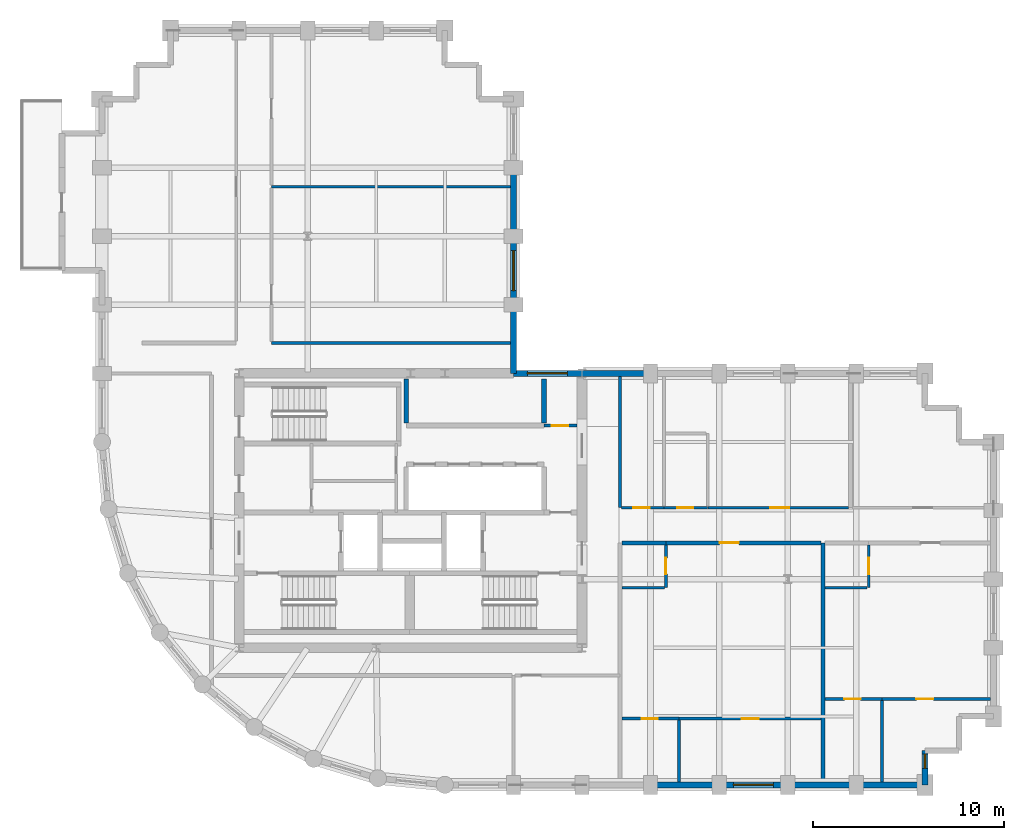
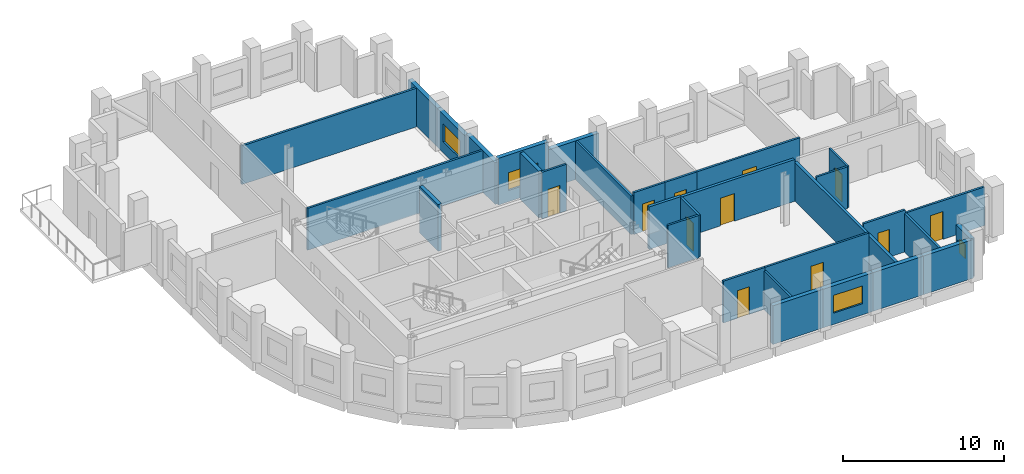
# One storey, part 5 of 9: 32 walls, 11 doors, 4 windows, 15 openings.
"""IFC4 building model written with IfcOpenShell, lengths in metres."""

from ifc_helpers import new_model, si_unit, direction, frame, frame_2d, origin, place, context, subcontext, project, spatial, rectangle, extrude, material, layer, layer_set, type_object, element, fill, save


model = new_model("IFC4")

# Units and contexts
model_context = context("Model", 3, precision=1e-05, world=origin(), true_north=direction((0.0, 1.0)))
body_context = subcontext(model_context, "Body", "Model", "MODEL_VIEW")
ifc_project = project(units=[si_unit("LENGTHUNIT", "METRE"), si_unit("AREAUNIT", "SQUARE_METRE"), si_unit("VOLUMEUNIT", "CUBIC_METRE"), si_unit("PLANEANGLEUNIT", "RADIAN"), si_unit("MASSUNIT", "GRAM", prefix="KILO")], contexts=[model_context])

# Site, building, storey
site_placement = place(None, origin())
site = spatial("IfcSite", under=ifc_project, at=site_placement, CompositionType="ELEMENT")
building_placement = place(site_placement, origin())
building = spatial("IfcBuilding", under=site, at=building_placement, Name="Solnavia Interchange Tower", CompositionType="ELEMENT")
storey_placement = place(building_placement, frame((0.0, 0.0, 154.199951171875)))
storey = spatial("IfcBuildingStorey", under=building, at=storey_placement, Name="L38", CompositionType="ELEMENT", Elevation=154.199951171875)

# Walls
ifc_material_1 = material(Name="Gypsum Acoustic Twin-Stud & Mineral Wool", Category="gypsum")
ifc_layer_1 = layer(ifc_material_1, 0.199951171875)
ifc_layer_set_1 = layer_set([ifc_layer_1], Name="Gypsum Acoustic Twin-Stud & Mineral Wool")
wall_type_1 = type_object("IfcWallType", Name="Wall-ApartmentParty-200", PredefinedType="PARTITIONING", material=ifc_layer_set_1)
wall_1_placement = place(storey_placement, frame((45.050048828125, 3.75390625, 0.0), z_axis=(0.0, 0.0, 1.0), x_axis=(0.0, 1.0, 0.0)))
element("IfcWall", 1, at=wall_1_placement, inside=storey, type_object=wall_type_1, Name="PTW-L38-13 Interior partition wall", PredefinedType="PARTITIONING", context=body_context, shape_type="SweptSolid", body=[
    extrude(rectangle(XDim=12.546142578125, YDim=0.199951171875, at=frame_2d((6.27294921875, 0.0))), origin(), (0.0, 0.0, 1.0), 2.929931640625),
])
wall_2_placement = place(storey_placement, frame((34.50390625, 16.300048828125, 0.0), z_axis=(0.0, 0.0, 1.0), x_axis=(1.0, 0.0, 0.0)))
element("IfcWall", 2, at=wall_2_placement, inside=storey, type_object=wall_type_1, Name="PTW-L38-14 Interior partition wall", PredefinedType="PARTITIONING", context=body_context, shape_type="SweptSolid", body=[
    extrude(rectangle(XDim=2.296142578125, YDim=0.199951171875, at=frame_2d((1.14794921875, 0.0))), origin(), (0.0, 0.0, 1.0), 3.219970703125),
])

# Wall, opening, door
wall_3_placement = place(storey_placement, frame((36.800048828125, 16.300048828125, 0.0), z_axis=(0.0, 0.0, 1.0), x_axis=(1.0, 0.0, 0.0)))
wall_3 = element("IfcWall", 3, at=wall_3_placement, inside=storey, type_object=wall_type_1, Name="PTW-L38-17 Interior partition wall", PredefinedType="PARTITIONING", context=body_context, shape_type="SweptSolid", body=[
    extrude(rectangle(XDim=8.14599609375, YDim=0.199951171875, at=frame_2d((4.072998046875, 0.0))), origin(), (0.0, 0.0, 1.0), 3.170166015625),
])
opening_1_placement = place(wall_3_placement, frame((2.8291015625, 0.0, 0.0)))
opening_1 = element("IfcOpeningElement", 4, at=opening_1_placement, cuts=wall_3, Name="Opening DR-06", PredefinedType="OPENING", context=body_context, shape_type="SweptSolid", body=[
    extrude(rectangle(XDim=1.0, YDim=2.10009765625, at=frame_2d((0.5, 1.050048828125))), frame((0.0, 0.10986328125, 0.0), z_axis=(0.0, -1.0, 0.0), x_axis=(1.0, 0.0, 0.0)), (0.0, 0.0, 1.0), 0.219970703125),
])
ifc_material_2 = material(Name="Engineered Timber Acoustic Fire Door", Category="wood")
door_type_1 = type_object("IfcDoorType", Name="Door-FlatEntry-1000x2100", OperationType="SINGLE_SWING_LEFT", PredefinedType="DOOR", material=ifc_material_2)
door_1_placement = place(opening_1_placement, origin())
door_1 = element("IfcDoor", 5, at=door_1_placement, inside=storey, type_object=door_type_1, Name="DR-L38-06 Interior room door", OperationType="SINGLE_SWING_LEFT", OverallHeight=2.10009765625, OverallWidth=1.0, PredefinedType="DOOR", context=body_context, shape_type="SweptSolid", body=[
    extrude(rectangle(XDim=1.0, YDim=2.10009765625, at=frame_2d((0.5, 1.050048828125))), frame((0.0, 0.02490234375, 0.0), z_axis=(0.0, -1.0, 0.0), x_axis=(1.0, 0.0, 0.0)), (0.0, 0.0, 1.0), 0.050048828125),
])
fill(opening_1, door_1)

# Wall
ifc_material_3 = material(Name="Concrete C40/50", Category="concrete")
ifc_layer_2 = layer(ifc_material_3, 0.300048828125)
ifc_layer_set_2 = layer_set([ifc_layer_2], Name="Concrete C40/50")
wall_type_2 = type_object("IfcWallType", Name="Wall-ExtSpandrel-300", PredefinedType="STANDARD", material=ifc_layer_set_2)
wall_4_placement = place(storey_placement, frame((39.60009765625, 3.60009765625, 0.0), z_axis=(0.0, 0.0, 1.0), x_axis=(-1.0, 0.0, 0.0)))
element("IfcWall", 6, at=wall_4_placement, inside=storey, type_object=wall_type_2, Name="EXW-L38-04 Exterior precast spandrel wall", PredefinedType="STANDARD", context=body_context, shape_type="SweptSolid", body=[
    extrude(rectangle(XDim=3.60009765625, YDim=0.300048828125, at=frame_2d((1.800048828125, 0.0))), origin(), (0.0, 0.0, 1.0), 2.929931640625),
])

# Wall, opening, window
wall_5_placement = place(storey_placement, frame((43.199951171875, 3.60009765625, 0.0), z_axis=(0.0, 0.0, 1.0), x_axis=(-1.0, 0.0, 0.0)))
wall_5 = element("IfcWall", 7, at=wall_5_placement, inside=storey, type_object=wall_type_2, Name="EXW-L38-05 Exterior precast spandrel wall", PredefinedType="STANDARD", context=body_context, shape_type="SweptSolid", body=[
    extrude(rectangle(XDim=3.599853515625, YDim=0.300048828125, at=frame_2d((1.7998046875, 0.0))), origin(), (0.0, 0.0, 1.0), 2.929931640625),
])
opening_2_placement = place(wall_5_placement, frame((0.75, 0.0, 0.85009765625)))
opening_2 = element("IfcOpeningElement", 8, at=opening_2_placement, cuts=wall_5, Name="Opening WIN-01", PredefinedType="OPENING", context=body_context, shape_type="SweptSolid", body=[
    extrude(rectangle(XDim=2.10009765625, YDim=1.35009765625, at=frame_2d((1.050048828125, 0.675048828125))), frame((0.0, 0.16015625, 0.0), z_axis=(0.0, -1.0, 0.0), x_axis=(1.0, 0.0, 0.0)), (0.0, 0.0, 1.0), 0.320068359375),
])
ifc_material_4 = material(Name="Thermal-Break Aluminium & Low-E Glass", Category="aluminium")
window_type_1 = type_object("IfcWindowType", Name="Window-Ribbon-2100x1350", PartitioningType="SINGLE_PANEL", PredefinedType="WINDOW", material=ifc_material_4)
window_1_placement = place(opening_2_placement, origin())
window_1 = element("IfcWindow", 9, at=window_1_placement, inside=storey, type_object=window_type_1, Name="WIN-L38-05 Facade ribbon window", OverallHeight=1.35009765625, OverallWidth=2.10009765625, PartitioningType="SINGLE_PANEL", PredefinedType="WINDOW", context=body_context, shape_type="SweptSolid", body=[
    extrude(rectangle(XDim=2.10009765625, YDim=1.35009765625, at=frame_2d((1.050048828125, 0.675048828125))), frame((0.0, 0.030029296875, 0.0), z_axis=(0.0, -1.0, 0.0), x_axis=(1.0, 0.0, 0.0)), (0.0, 0.0, 1.0), 0.06005859375),
])
fill(opening_2, window_1)

# Walls
wall_6_placement = place(storey_placement, frame((46.800048828125, 3.60009765625, 0.0), z_axis=(0.0, 0.0, 1.0), x_axis=(-1.0, 0.0, 0.0)))
element("IfcWall", 10, at=wall_6_placement, inside=storey, type_object=wall_type_2, Name="EXW-L38-06 Exterior precast spandrel wall", PredefinedType="STANDARD", context=body_context, shape_type="SweptSolid", body=[
    extrude(rectangle(XDim=3.60009765625, YDim=0.300048828125, at=frame_2d((1.800048828125, 0.0))), origin(), (0.0, 0.0, 1.0), 2.929931640625),
])
wall_7_placement = place(storey_placement, frame((50.39990234375, 3.60009765625, 0.0), z_axis=(0.0, 0.0, 1.0), x_axis=(-1.0, 0.0, 0.0)))
element("IfcWall", 11, at=wall_7_placement, inside=storey, type_object=wall_type_2, Name="EXW-L38-07 Exterior precast spandrel wall", PredefinedType="STANDARD", context=body_context, shape_type="SweptSolid", body=[
    extrude(rectangle(XDim=3.599853515625, YDim=0.300048828125, at=frame_2d((1.7998046875, 0.0))), origin(), (0.0, 0.0, 1.0), 2.929931640625),
])

# Wall, opening, window
wall_8_placement = place(storey_placement, frame((50.39990234375, 5.39990234375, 0.0), z_axis=(0.0, 0.0, 1.0), x_axis=(0.0, -1.0, 0.0)))
wall_8 = element("IfcWall", 12, at=wall_8_placement, inside=storey, type_object=wall_type_2, Name="EXW-L38-08 Exterior precast spandrel wall", PredefinedType="STANDARD", context=body_context, shape_type="SweptSolid", body=[
    extrude(rectangle(XDim=1.7998046875, YDim=0.300048828125, at=frame_2d((0.89990234375, 0.0))), origin(), (0.0, 0.0, 1.0), 2.929931640625),
])
opening_3_placement = place(wall_8_placement, frame((0.179931640625, 0.0, 0.85009765625)))
opening_3 = element("IfcOpeningElement", 13, at=opening_3_placement, cuts=wall_8, Name="Opening WIN-08", PredefinedType="OPENING", context=body_context, shape_type="SweptSolid", body=[
    extrude(rectangle(XDim=0.75, YDim=1.050048828125, at=frame_2d((0.375, 0.52490234375))), frame((0.0, 0.16015625, 0.0), z_axis=(0.0, -1.0, 0.0), x_axis=(1.0, 0.0, 0.0)), (0.0, 0.0, 1.0), 0.320068359375),
])
window_type_2 = type_object("IfcWindowType", Name="Window-Bedroom-750x1050", PartitioningType="SINGLE_PANEL", PredefinedType="WINDOW", material=ifc_material_4)
window_2_placement = place(opening_3_placement, origin())
window_2 = element("IfcWindow", 14, at=window_2_placement, inside=storey, type_object=window_type_2, Name="WIN-L38-DW01 Dwelling bedroom window", OverallHeight=1.050048828125, OverallWidth=0.75, PartitioningType="SINGLE_PANEL", PredefinedType="WINDOW", context=body_context, shape_type="SweptSolid", body=[
    extrude(rectangle(XDim=0.75, YDim=1.050048828125, at=frame_2d((0.375, 0.52490234375))), frame((0.0, 0.030029296875, 0.0), z_axis=(0.0, -1.0, 0.0), x_axis=(1.0, 0.0, 0.0)), (0.0, 0.0, 1.0), 0.06005859375),
])
fill(opening_3, window_2)

# Wall
wall_9_placement = place(storey_placement, frame((32.39990234375, 25.199951171875, 0.0), z_axis=(0.0, 0.0, 1.0), x_axis=(1.0, 0.0, 0.0)))
element("IfcWall", 15, at=wall_9_placement, inside=storey, type_object=wall_type_2, Name="EXW-L38-24 Exterior precast spandrel wall", PredefinedType="STANDARD", context=body_context, shape_type="SweptSolid", body=[
    extrude(rectangle(XDim=3.60009765625, YDim=0.300048828125, at=frame_2d((1.800048828125, 0.0))), origin(), (0.0, 0.0, 1.0), 2.929931640625),
])

# Wall, opening, window
wall_10_placement = place(storey_placement, frame((28.800048828125, 25.199951171875, 0.0), z_axis=(0.0, 0.0, 1.0), x_axis=(1.0, 0.0, 0.0)))
wall_10 = element("IfcWall", 16, at=wall_10_placement, inside=storey, type_object=wall_type_2, Name="EXW-L38-25 Exterior precast spandrel wall", PredefinedType="STANDARD", context=body_context, shape_type="SweptSolid", body=[
    extrude(rectangle(XDim=3.599853515625, YDim=0.300048828125, at=frame_2d((1.7998046875, 0.0))), origin(), (0.0, 0.0, 1.0), 3.53515625),
])
opening_4_placement = place(wall_10_placement, frame((0.73388671875, 0.0, 0.85009765625)))
opening_4 = element("IfcOpeningElement", 17, at=opening_4_placement, cuts=wall_10, Name="Opening WIN-01", PredefinedType="OPENING", context=body_context, shape_type="SweptSolid", body=[
    extrude(rectangle(XDim=2.10009765625, YDim=1.35009765625, at=frame_2d((1.050048828125, 0.675048828125))), frame((0.0, 0.16015625, 0.0), z_axis=(0.0, -1.0, 0.0), x_axis=(1.0, 0.0, 0.0)), (0.0, 0.0, 1.0), 0.320068359375),
])
window_3_placement = place(opening_4_placement, origin())
window_3 = element("IfcWindow", 18, at=window_3_placement, inside=storey, type_object=window_type_1, Name="WIN-L38-25 Facade ribbon window", OverallHeight=1.35009765625, OverallWidth=2.10009765625, PartitioningType="SINGLE_PANEL", PredefinedType="WINDOW", context=body_context, shape_type="SweptSolid", body=[
    extrude(rectangle(XDim=2.10009765625, YDim=1.35009765625, at=frame_2d((1.050048828125, 0.675048828125))), frame((0.0, 0.030029296875, 0.0), z_axis=(0.0, -1.0, 0.0), x_axis=(1.0, 0.0, 0.0)), (0.0, 0.0, 1.0), 0.06005859375),
])
fill(opening_4, window_3)

# Wall
wall_11_placement = place(storey_placement, frame((28.800048828125, 28.800048828125, 0.0), z_axis=(0.0, 0.0, 1.0), x_axis=(0.0, -1.0, 0.0)))
element("IfcWall", 19, at=wall_11_placement, inside=storey, type_object=wall_type_2, Name="EXW-L38-26 Exterior precast spandrel wall", PredefinedType="STANDARD", context=body_context, shape_type="SweptSolid", body=[
    extrude(rectangle(XDim=3.60009765625, YDim=0.300048828125, at=frame_2d((1.800048828125, 0.0))), origin(), (0.0, 0.0, 1.0), 3.170166015625),
])

# Wall, opening, window
wall_12_placement = place(storey_placement, frame((28.800048828125, 32.39990234375, 0.0), z_axis=(0.0, 0.0, 1.0), x_axis=(0.0, -1.0, 0.0)))
wall_12 = element("IfcWall", 20, at=wall_12_placement, inside=storey, type_object=wall_type_2, Name="EXW-L38-27 Exterior precast spandrel wall", PredefinedType="STANDARD", context=body_context, shape_type="SweptSolid", body=[
    extrude(rectangle(XDim=3.599853515625, YDim=0.300048828125, at=frame_2d((1.7998046875, 0.0))), origin(), (0.0, 0.0, 1.0), 2.929931640625),
])
opening_5_placement = place(wall_12_placement, frame((0.75, 0.0, 0.85009765625)))
opening_5 = element("IfcOpeningElement", 21, at=opening_5_placement, cuts=wall_12, Name="Opening WIN-01", PredefinedType="OPENING", context=body_context, shape_type="SweptSolid", body=[
    extrude(rectangle(XDim=2.10009765625, YDim=1.35009765625, at=frame_2d((1.050048828125, 0.675048828125))), frame((0.0, 0.16015625, 0.0), z_axis=(0.0, -1.0, 0.0), x_axis=(1.0, 0.0, 0.0)), (0.0, 0.0, 1.0), 0.320068359375),
])
window_4_placement = place(opening_5_placement, origin())
window_4 = element("IfcWindow", 22, at=window_4_placement, inside=storey, type_object=window_type_1, Name="WIN-L38-27 Facade ribbon window", OverallHeight=1.35009765625, OverallWidth=2.10009765625, PartitioningType="SINGLE_PANEL", PredefinedType="WINDOW", context=body_context, shape_type="SweptSolid", body=[
    extrude(rectangle(XDim=2.10009765625, YDim=1.35009765625, at=frame_2d((1.050048828125, 0.675048828125))), frame((0.0, 0.030029296875, 0.0), z_axis=(0.0, -1.0, 0.0), x_axis=(1.0, 0.0, 0.0)), (0.0, 0.0, 1.0), 0.06005859375),
])
fill(opening_5, window_4)

# Wall
wall_13_placement = place(storey_placement, frame((28.800048828125, 36.0, 0.0), z_axis=(0.0, 0.0, 1.0), x_axis=(0.0, -1.0, 0.0)))
element("IfcWall", 23, at=wall_13_placement, inside=storey, type_object=wall_type_2, Name="EXW-L38-28 Exterior precast spandrel wall", PredefinedType="STANDARD", context=body_context, shape_type="SweptSolid", body=[
    extrude(rectangle(XDim=3.60009765625, YDim=0.300048828125, at=frame_2d((1.800048828125, 0.0))), origin(), (0.0, 0.0, 1.0), 2.929931640625),
])

# Wall, opening, door
ifc_material_5 = material(Name="Gypsum Plasterboard & Steel Stud", Category="steel")
ifc_layer_3 = layer(ifc_material_5, 0.14990234375)
ifc_layer_set_3 = layer_set([ifc_layer_3], Name="Gypsum Plasterboard & Steel Stud")
wall_type_3 = type_object("IfcWallType", Name="Wall-Partition-150", PredefinedType="PARTITIONING", material=ifc_layer_set_3)
wall_14_placement = place(storey_placement, frame((30.39990234375, 22.4599609375, 0.0), z_axis=(0.0, 0.0, 1.0), x_axis=(1.0, 0.0, 0.0)))
wall_14 = element("IfcWall", 24, at=wall_14_placement, inside=storey, type_object=wall_type_3, Name="CSW-L38-NE-S Core shaft wall", PredefinedType="PARTITIONING", context=body_context, shape_type="SweptSolid", body=[
    extrude(rectangle(XDim=1.75, YDim=0.14990234375, at=frame_2d((0.875, 0.0))), origin(), (0.0, 0.0, 1.0), 3.53515625),
])
opening_6_placement = place(wall_14_placement, frame((0.419921875, 0.0, 0.0)))
opening_6 = element("IfcOpeningElement", 25, at=opening_6_placement, cuts=wall_14, Name="Opening DR-10", PredefinedType="OPENING", context=body_context, shape_type="SweptSolid", body=[
    extrude(rectangle(XDim=0.85009765625, YDim=2.10009765625, at=frame_2d((0.425048828125, 1.050048828125))), frame((0.0, 0.0849609375, 0.0), z_axis=(0.0, -1.0, 0.0), x_axis=(1.0, 0.0, 0.0)), (0.0, 0.0, 1.0), 0.169921875),
])
ifc_material_6 = material(Name="Moisture-Resistant Timber Door", Category="wood")
door_type_2 = type_object("IfcDoorType", Name="Door-Bathroom-850x2100", OperationType="SINGLE_SWING_RIGHT", PredefinedType="DOOR", material=ifc_material_6)
door_2_placement = place(opening_6_placement, origin())
door_2 = element("IfcDoor", 26, at=door_2_placement, inside=storey, type_object=door_type_2, Name="DR-L38-CS4 Core fire door", OperationType="SINGLE_SWING_RIGHT", OverallHeight=2.10009765625, OverallWidth=0.85009765625, PredefinedType="DOOR", context=body_context, shape_type="SweptSolid", body=[
    extrude(rectangle(XDim=0.85009765625, YDim=2.10009765625, at=frame_2d((0.425048828125, 1.050048828125))), frame((0.0, 0.02490234375, 0.0), z_axis=(0.0, -1.0, 0.0), x_axis=(1.0, 0.0, 0.0)), (0.0, 0.0, 1.0), 0.050048828125),
])
fill(opening_6, door_2)

wall_15_placement = place(storey_placement, frame((37.5, 7.080078125, 0.0), z_axis=(0.0, 0.0, 1.0), x_axis=(1.0, 0.0, 0.0)))
wall_15 = element("IfcWall", 27, at=wall_15_placement, inside=storey, type_object=wall_type_3, Name="PTW-L38-18 Interior partition wall", PredefinedType="PARTITIONING", context=body_context, shape_type="SweptSolid", body=[
    extrude(rectangle(XDim=7.446044921875, YDim=0.14990234375, at=frame_2d((3.72314453125, 0.0))), origin(), (0.0, 0.0, 1.0), 3.170166015625),
])
opening_7_placement = place(wall_15_placement, frame((3.284912109375, 0.0, 0.0)))
opening_7 = element("IfcOpeningElement", 28, at=opening_7_placement, cuts=wall_15, Name="Opening DR-09", PredefinedType="OPENING", context=body_context, shape_type="SweptSolid", body=[
    extrude(rectangle(XDim=0.89990234375, YDim=2.10009765625, at=frame_2d((0.449951171875, 1.050048828125))), frame((0.0, 0.0849609375, 0.0), z_axis=(0.0, -1.0, 0.0), x_axis=(1.0, 0.0, 0.0)), (0.0, 0.0, 1.0), 0.169921875),
])
ifc_material_7 = material(Name="Engineered Oak Veneer Door", Category="wood")
door_type_3 = type_object("IfcDoorType", Name="Door-Internal-900x2100", OperationType="SINGLE_SWING_LEFT", PredefinedType="DOOR", material=ifc_material_7)
door_3_placement = place(opening_7_placement, origin())
door_3 = element("IfcDoor", 29, at=door_3_placement, inside=storey, type_object=door_type_3, Name="DR-L38-07 Interior room door", OperationType="SINGLE_SWING_RIGHT", OverallHeight=2.10009765625, OverallWidth=0.89990234375, PredefinedType="DOOR", context=body_context, shape_type="SweptSolid", body=[
    extrude(rectangle(XDim=0.89990234375, YDim=2.10009765625, at=frame_2d((0.449951171875, 1.050048828125))), frame((0.0, 0.02490234375, 0.0), z_axis=(0.0, -1.0, 0.0), x_axis=(1.0, 0.0, 0.0)), (0.0, 0.0, 1.0), 0.050048828125),
])
fill(opening_7, door_3)

wall_16_placement = place(storey_placement, frame((48.14990234375, 8.110107421875, 0.0), z_axis=(0.0, 0.0, 1.0), x_axis=(1.0, 0.0, 0.0)))
wall_16 = element("IfcWall", 30, at=wall_16_placement, inside=storey, type_object=wall_type_3, Name="PTW-L38-25 Interior partition wall", PredefinedType="PARTITIONING", context=body_context, shape_type="SweptSolid", body=[
    extrude(rectangle(XDim=5.696044921875, YDim=0.14990234375, at=frame_2d((2.84814453125, 0.0))), origin(), (0.0, 0.0, 1.0), 2.929931640625),
])
opening_8_placement = place(wall_16_placement, frame((1.797119140625, 0.0, 0.0)))
opening_8 = element("IfcOpeningElement", 31, at=opening_8_placement, cuts=wall_16, Name="Opening DR-09", PredefinedType="OPENING", context=body_context, shape_type="SweptSolid", body=[
    extrude(rectangle(XDim=0.89990234375, YDim=2.10009765625, at=frame_2d((0.449951171875, 1.050048828125))), frame((0.0, 0.0849609375, 0.0), z_axis=(0.0, -1.0, 0.0), x_axis=(1.0, 0.0, 0.0)), (0.0, 0.0, 1.0), 0.169921875),
])
door_4_placement = place(opening_8_placement, origin())
door_4 = element("IfcDoor", 32, at=door_4_placement, inside=storey, type_object=door_type_3, Name="DR-L38-11 Interior room door", OperationType="SINGLE_SWING_RIGHT", OverallHeight=2.10009765625, OverallWidth=0.89990234375, PredefinedType="DOOR", context=body_context, shape_type="SweptSolid", body=[
    extrude(rectangle(XDim=0.89990234375, YDim=2.10009765625, at=frame_2d((0.449951171875, 1.050048828125))), frame((0.0, 0.02490234375, 0.0), z_axis=(0.0, -1.0, 0.0), x_axis=(1.0, 0.0, 0.0)), (0.0, 0.0, 1.0), 0.050048828125),
])
fill(opening_8, door_4)

wall_17_placement = place(storey_placement, frame((39.0, 18.14990234375, 0.0), z_axis=(0.0, 0.0, 1.0), x_axis=(1.0, 0.0, 0.0)))
wall_17 = element("IfcWall", 33, at=wall_17_placement, inside=storey, type_object=wall_type_3, Name="PTW-L38-29 Interior partition wall", PredefinedType="PARTITIONING", context=body_context, shape_type="SweptSolid", body=[
    extrude(rectangle(XDim=7.39599609375, YDim=0.14990234375, at=frame_2d((3.697998046875, 0.0))), origin(), (0.0, 0.0, 1.0), 3.170166015625),
])
opening_9_placement = place(wall_17_placement, frame((3.2900390625, 0.0, 0.0)))
opening_9 = element("IfcOpeningElement", 34, at=opening_9_placement, cuts=wall_17, Name="Opening DR-07", PredefinedType="OPENING", context=body_context, shape_type="SweptSolid", body=[
    extrude(rectangle(XDim=1.0, YDim=2.10009765625, at=frame_2d((0.5, 1.050048828125))), frame((0.0, 0.0849609375, 0.0), z_axis=(0.0, -1.0, 0.0), x_axis=(1.0, 0.0, 0.0)), (0.0, 0.0, 1.0), 0.169921875),
])
ifc_material_8 = material(Name="Timber & Acoustic Glazed Office Door", Category="wood")
door_type_4 = type_object("IfcDoorType", Name="Door-Office-1000x2100", OperationType="SINGLE_SWING_RIGHT", PredefinedType="DOOR", material=ifc_material_8)
door_5_placement = place(opening_9_placement, origin())
door_5 = element("IfcDoor", 35, at=door_5_placement, inside=storey, type_object=door_type_4, Name="DR-L38-13 Interior room door", OperationType="SINGLE_SWING_RIGHT", OverallHeight=2.10009765625, OverallWidth=1.0, PredefinedType="DOOR", context=body_context, shape_type="SweptSolid", body=[
    extrude(rectangle(XDim=1.0, YDim=2.10009765625, at=frame_2d((0.5, 1.050048828125))), frame((0.0, 0.02490234375, 0.0), z_axis=(0.0, -1.0, 0.0), x_axis=(1.0, 0.0, 0.0)), (0.0, 0.0, 1.0), 0.050048828125),
])
fill(opening_9, door_5)

# Walls
wall_18_placement = place(storey_placement, frame((16.10009765625, 26.800048828125, 0.0), z_axis=(0.0, 0.0, 1.0), x_axis=(1.0, 0.0, 0.0)))
element("IfcWall", 36, at=wall_18_placement, inside=storey, type_object=wall_type_3, Name="PTW-L38-33 Interior partition wall", PredefinedType="PARTITIONING", context=body_context, shape_type="SweptSolid", body=[
    extrude(rectangle(XDim=12.5458984375, YDim=0.14990234375, at=frame_2d((6.27294921875, 0.0))), origin(), (0.0, 0.0, 1.0), 3.170166015625),
])
wall_19_placement = place(storey_placement, frame((16.10009765625, 35.0, 0.0), z_axis=(0.0, 0.0, 1.0), x_axis=(1.0, 0.0, 0.0)))
element("IfcWall", 37, at=wall_19_placement, inside=storey, type_object=wall_type_3, Name="PTW-L38-34 Interior partition wall", PredefinedType="PARTITIONING", context=body_context, shape_type="SweptSolid", body=[
    extrude(rectangle(XDim=12.5458984375, YDim=0.14990234375, at=frame_2d((6.27294921875, 0.0))), origin(), (0.0, 0.0, 1.0), 2.929931640625),
])
ifc_layer_4 = layer(ifc_material_3, 0.25)
ifc_layer_set_4 = layer_set([ifc_layer_4], Name="Concrete C40/50")
wall_type_4 = type_object("IfcWallType", Name="Wall-ShaftPart-250", PredefinedType="PARTITIONING", material=ifc_layer_set_4)
for number, where, z_axis, x_axis, name in (
    (38, (23.179931640625, 22.5849609375, 0.0), (0.0, 0.0, 1.0), (0.0, 1.0, 0.0), "SHW-L38-B3W Core shaft wall"),
    (39, (30.39990234375, 22.5849609375, 0.0), (0.0, 0.0, 1.0), (0.0, 1.0, 0.0), "SHW-L38-B3E Core shaft wall"),
):
    element("IfcWall", number, at=place(storey_placement, frame(where, z_axis=z_axis, x_axis=x_axis)), inside=storey, type_object=wall_type_4, Name=name, PredefinedType="PARTITIONING", context=body_context, shape_type="SweptSolid", body=[
        extrude(rectangle(XDim=2.31494140625, YDim=0.25, at=frame_2d((1.157470703125, 0.0))), origin(), (0.0, 0.0, 1.0), 3.53515625),
    ])
ifc_material_9 = material(Name="Moisture-Resistant Gypsum & Steel Stud", Category="steel")
ifc_layer_5 = layer(ifc_material_9, 0.14990234375)
ifc_layer_set_5 = layer_set([ifc_layer_5], Name="Moisture-Resistant Gypsum & Steel Stud")
wall_type_5 = type_object("IfcWallType", Name="Wall-WetRoom-150", PredefinedType="PARTITIONING", material=ifc_layer_set_5)
wall_20_placement = place(storey_placement, frame((34.39990234375, 18.14990234375, 0.0), z_axis=(0.0, 0.0, 1.0), x_axis=(0.0, 1.0, 0.0)))
element("IfcWall", 40, at=wall_20_placement, inside=storey, type_object=wall_type_5, Name="PTW-L38-01 Interior partition wall", PredefinedType="PARTITIONING", context=body_context, shape_type="SweptSolid", body=[
    extrude(rectangle(XDim=6.89599609375, YDim=0.14990234375, at=frame_2d((3.447998046875, 0.0))), origin(), (0.0, 0.0, 1.0), 2.929931640625),
])

# Wall, opening, door
wall_21_placement = place(storey_placement, frame((34.47900390625, 18.14990234375, 0.0), z_axis=(0.0, 0.0, 1.0), x_axis=(1.0, 0.0, 0.0)))
wall_21 = element("IfcWall", 41, at=wall_21_placement, inside=storey, type_object=wall_type_5, Name="PTW-L38-02 Interior partition wall", PredefinedType="PARTITIONING", context=body_context, shape_type="SweptSolid", body=[
    extrude(rectangle(XDim=2.220947265625, YDim=0.14990234375, at=frame_2d((1.1103515625, 0.0))), origin(), (0.0, 0.0, 1.0), 3.170166015625),
])
opening_10_placement = place(wall_21_placement, frame((0.617919921875, 0.0, 0.0)))
opening_10 = element("IfcOpeningElement", 42, at=opening_10_placement, cuts=wall_21, Name="Opening DR-10", PredefinedType="OPENING", context=body_context, shape_type="SweptSolid", body=[
    extrude(rectangle(XDim=0.85009765625, YDim=2.10009765625, at=frame_2d((0.425048828125, 1.050048828125))), frame((0.0, 0.0849609375, 0.0), z_axis=(0.0, -1.0, 0.0), x_axis=(1.0, 0.0, 0.0)), (0.0, 0.0, 1.0), 0.169921875),
])
door_6_placement = place(opening_10_placement, origin())
door_6 = element("IfcDoor", 43, at=door_6_placement, inside=storey, type_object=door_type_2, Name="DR-L38-01 Interior room door", OperationType="SINGLE_SWING_LEFT", OverallHeight=2.10009765625, OverallWidth=0.85009765625, PredefinedType="DOOR", context=body_context, shape_type="SweptSolid", body=[
    extrude(rectangle(XDim=0.85009765625, YDim=2.10009765625, at=frame_2d((0.425048828125, 1.050048828125))), frame((0.0, 0.02490234375, 0.0), z_axis=(0.0, -1.0, 0.0), x_axis=(1.0, 0.0, 0.0)), (0.0, 0.0, 1.0), 0.050048828125),
])
fill(opening_10, door_6)

wall_22_placement = place(storey_placement, frame((36.699951171875, 18.14990234375, 0.0), z_axis=(0.0, 0.0, 1.0), x_axis=(1.0, 0.0, 0.0)))
wall_22 = element("IfcWall", 44, at=wall_22_placement, inside=storey, type_object=wall_type_5, Name="PTW-L38-04 Interior partition wall", PredefinedType="PARTITIONING", context=body_context, shape_type="SweptSolid", body=[
    extrude(rectangle(XDim=2.300048828125, YDim=0.14990234375, at=frame_2d((1.14990234375, 0.0))), origin(), (0.0, 0.0, 1.0), 3.170166015625),
])
opening_11_placement = place(wall_22_placement, frame((0.697021484375, 0.0, 0.0)))
opening_11 = element("IfcOpeningElement", 45, at=opening_11_placement, cuts=wall_22, Name="Opening DR-10", PredefinedType="OPENING", context=body_context, shape_type="SweptSolid", body=[
    extrude(rectangle(XDim=0.85009765625, YDim=2.10009765625, at=frame_2d((0.425048828125, 1.050048828125))), frame((0.0, 0.0849609375, 0.0), z_axis=(0.0, -1.0, 0.0), x_axis=(1.0, 0.0, 0.0)), (0.0, 0.0, 1.0), 0.169921875),
])
door_7_placement = place(opening_11_placement, origin())
door_7 = element("IfcDoor", 46, at=door_7_placement, inside=storey, type_object=door_type_2, Name="DR-L38-02 Interior room door", OperationType="SINGLE_SWING_RIGHT", OverallHeight=2.10009765625, OverallWidth=0.85009765625, PredefinedType="DOOR", context=body_context, shape_type="SweptSolid", body=[
    extrude(rectangle(XDim=0.85009765625, YDim=2.10009765625, at=frame_2d((0.425048828125, 1.050048828125))), frame((0.0, 0.02490234375, 0.0), z_axis=(0.0, -1.0, 0.0), x_axis=(1.0, 0.0, 0.0)), (0.0, 0.0, 1.0), 0.050048828125),
])
fill(opening_11, door_7)

wall_23_placement = place(storey_placement, frame((36.800048828125, 13.949951171875, 0.0), z_axis=(0.0, 0.0, 1.0), x_axis=(0.0, 1.0, 0.0)))
wall_23 = element("IfcWall", 47, at=wall_23_placement, inside=storey, type_object=wall_type_5, Name="PTW-L38-15 Interior partition wall", PredefinedType="PARTITIONING", context=body_context, shape_type="SweptSolid", body=[
    extrude(rectangle(XDim=2.24609375, YDim=0.14990234375, at=frame_2d((1.123046875, 0.0))), origin(), (0.0, 0.0, 1.0), 3.170166015625),
])
opening_12_placement = place(wall_23_placement, frame((0.719970703125, 0.0, 0.0)))
opening_12 = element("IfcOpeningElement", 48, at=opening_12_placement, cuts=wall_23, Name="Opening DR-10", PredefinedType="OPENING", context=body_context, shape_type="SweptSolid", body=[
    extrude(rectangle(XDim=0.85009765625, YDim=2.10009765625, at=frame_2d((0.425048828125, 1.050048828125))), frame((0.0, 0.0849609375, 0.0), z_axis=(0.0, -1.0, 0.0), x_axis=(1.0, 0.0, 0.0)), (0.0, 0.0, 1.0), 0.169921875),
])
door_8_placement = place(opening_12_placement, origin())
door_8 = element("IfcDoor", 49, at=door_8_placement, inside=storey, type_object=door_type_2, Name="DR-L38-05 Interior room door", OperationType="SINGLE_SWING_RIGHT", OverallHeight=2.10009765625, OverallWidth=0.85009765625, PredefinedType="DOOR", context=body_context, shape_type="SweptSolid", body=[
    extrude(rectangle(XDim=0.85009765625, YDim=2.10009765625, at=frame_2d((0.425048828125, 1.050048828125))), frame((0.0, 0.02490234375, 0.0), z_axis=(0.0, -1.0, 0.0), x_axis=(1.0, 0.0, 0.0)), (0.0, 0.0, 1.0), 0.050048828125),
])
fill(opening_12, door_8)

# Wall
wall_24_placement = place(storey_placement, frame((34.50390625, 13.949951171875, 0.0), z_axis=(0.0, 0.0, 1.0), x_axis=(1.0, 0.0, 0.0)))
element("IfcWall", 50, at=wall_24_placement, inside=storey, type_object=wall_type_5, Name="PTW-L38-16 Interior partition wall", PredefinedType="PARTITIONING", context=body_context, shape_type="SweptSolid", body=[
    extrude(rectangle(XDim=2.217041015625, YDim=0.14990234375, at=frame_2d((1.1083984375, 0.0))), origin(), (0.0, 0.0, 1.0), 3.219970703125),
])

# Wall, opening, door
wall_25_placement = place(storey_placement, frame((34.50390625, 7.080078125, 0.0), z_axis=(0.0, 0.0, 1.0), x_axis=(1.0, 0.0, 0.0)))
wall_25 = element("IfcWall", 51, at=wall_25_placement, inside=storey, type_object=wall_type_5, Name="PTW-L38-19 Interior partition wall", PredefinedType="PARTITIONING", context=body_context, shape_type="SweptSolid", body=[
    extrude(rectangle(XDim=2.99609375, YDim=0.14990234375, at=frame_2d((1.498046875, 0.0))), origin(), (0.0, 0.0, 1.0), 3.170166015625),
])
opening_13_placement = place(wall_25_placement, frame((1.02099609375, 0.0, 0.0)))
opening_13 = element("IfcOpeningElement", 52, at=opening_13_placement, cuts=wall_25, Name="Opening DR-10", PredefinedType="OPENING", context=body_context, shape_type="SweptSolid", body=[
    extrude(rectangle(XDim=0.85009765625, YDim=2.10009765625, at=frame_2d((0.425048828125, 1.050048828125))), frame((0.0, 0.0849609375, 0.0), z_axis=(0.0, -1.0, 0.0), x_axis=(1.0, 0.0, 0.0)), (0.0, 0.0, 1.0), 0.169921875),
])
door_9_placement = place(opening_13_placement, origin())
door_9 = element("IfcDoor", 53, at=door_9_placement, inside=storey, type_object=door_type_2, Name="DR-L38-08 Interior room door", OperationType="SINGLE_SWING_LEFT", OverallHeight=2.10009765625, OverallWidth=0.85009765625, PredefinedType="DOOR", context=body_context, shape_type="SweptSolid", body=[
    extrude(rectangle(XDim=0.85009765625, YDim=2.10009765625, at=frame_2d((0.425048828125, 1.050048828125))), frame((0.0, 0.02490234375, 0.0), z_axis=(0.0, -1.0, 0.0), x_axis=(1.0, 0.0, 0.0)), (0.0, 0.0, 1.0), 0.050048828125),
])
fill(opening_13, door_9)

# Wall
wall_26_placement = place(storey_placement, frame((37.5, 3.75390625, 0.0), z_axis=(0.0, 0.0, 1.0), x_axis=(0.0, 1.0, 0.0)))
element("IfcWall", 54, at=wall_26_placement, inside=storey, type_object=wall_type_5, Name="PTW-L38-20 Interior partition wall", PredefinedType="PARTITIONING", context=body_context, shape_type="SweptSolid", body=[
    extrude(rectangle(XDim=3.2470703125, YDim=0.14990234375, at=frame_2d((1.62353515625, 0.0))), origin(), (0.0, 0.0, 1.0), 2.929931640625),
])

# Wall, opening, door
wall_27_placement = place(storey_placement, frame((47.449951171875, 13.949951171875, 0.0), z_axis=(0.0, 0.0, 1.0), x_axis=(0.0, 1.0, 0.0)))
wall_27 = element("IfcWall", 55, at=wall_27_placement, inside=storey, type_object=wall_type_5, Name="PTW-L38-22 Interior partition wall", PredefinedType="PARTITIONING", context=body_context, shape_type="SweptSolid", body=[
    extrude(rectangle(XDim=2.24609375, YDim=0.14990234375, at=frame_2d((1.123046875, 0.0))), origin(), (0.0, 0.0, 1.0), 3.170166015625),
])
opening_14_placement = place(wall_27_placement, frame((0.719970703125, 0.0, 0.0)))
opening_14 = element("IfcOpeningElement", 56, at=opening_14_placement, cuts=wall_27, Name="Opening DR-10", PredefinedType="OPENING", context=body_context, shape_type="SweptSolid", body=[
    extrude(rectangle(XDim=0.85009765625, YDim=2.10009765625, at=frame_2d((0.425048828125, 1.050048828125))), frame((0.0, 0.0849609375, 0.0), z_axis=(0.0, -1.0, 0.0), x_axis=(1.0, 0.0, 0.0)), (0.0, 0.0, 1.0), 0.169921875),
])
door_10_placement = place(opening_14_placement, origin())
door_10 = element("IfcDoor", 57, at=door_10_placement, inside=storey, type_object=door_type_2, Name="DR-L38-09 Interior room door", OperationType="SINGLE_SWING_RIGHT", OverallHeight=2.10009765625, OverallWidth=0.85009765625, PredefinedType="DOOR", context=body_context, shape_type="SweptSolid", body=[
    extrude(rectangle(XDim=0.85009765625, YDim=2.10009765625, at=frame_2d((0.425048828125, 1.050048828125))), frame((0.0, 0.02490234375, 0.0), z_axis=(0.0, -1.0, 0.0), x_axis=(1.0, 0.0, 0.0)), (0.0, 0.0, 1.0), 0.050048828125),
])
fill(opening_14, door_10)

# Wall
wall_28_placement = place(storey_placement, frame((45.154052734375, 13.949951171875, 0.0), z_axis=(0.0, 0.0, 1.0), x_axis=(1.0, 0.0, 0.0)))
element("IfcWall", 58, at=wall_28_placement, inside=storey, type_object=wall_type_5, Name="PTW-L38-23 Interior partition wall", PredefinedType="PARTITIONING", context=body_context, shape_type="SweptSolid", body=[
    extrude(rectangle(XDim=2.217041015625, YDim=0.14990234375, at=frame_2d((1.1083984375, 0.0))), origin(), (0.0, 0.0, 1.0), 3.170166015625),
])

# Wall, opening, door
wall_29_placement = place(storey_placement, frame((45.154052734375, 8.110107421875, 0.0), z_axis=(0.0, 0.0, 1.0), x_axis=(1.0, 0.0, 0.0)))
wall_29 = element("IfcWall", 59, at=wall_29_placement, inside=storey, type_object=wall_type_5, Name="PTW-L38-26 Interior partition wall", PredefinedType="PARTITIONING", context=body_context, shape_type="SweptSolid", body=[
    extrude(rectangle(XDim=2.995849609375, YDim=0.14990234375, at=frame_2d((1.498046875, 0.0))), origin(), (0.0, 0.0, 1.0), 3.170166015625),
])
opening_15_placement = place(wall_29_placement, frame((1.02099609375, 0.0, 0.0)))
opening_15 = element("IfcOpeningElement", 60, at=opening_15_placement, cuts=wall_29, Name="Opening DR-10", PredefinedType="OPENING", context=body_context, shape_type="SweptSolid", body=[
    extrude(rectangle(XDim=0.85009765625, YDim=2.10009765625, at=frame_2d((0.425048828125, 1.050048828125))), frame((0.0, 0.0849609375, 0.0), z_axis=(0.0, -1.0, 0.0), x_axis=(1.0, 0.0, 0.0)), (0.0, 0.0, 1.0), 0.169921875),
])
door_11_placement = place(opening_15_placement, origin())
door_11 = element("IfcDoor", 61, at=door_11_placement, inside=storey, type_object=door_type_2, Name="DR-L38-12 Interior room door", OperationType="SINGLE_SWING_LEFT", OverallHeight=2.10009765625, OverallWidth=0.85009765625, PredefinedType="DOOR", context=body_context, shape_type="SweptSolid", body=[
    extrude(rectangle(XDim=0.85009765625, YDim=2.10009765625, at=frame_2d((0.425048828125, 1.050048828125))), frame((0.0, 0.02490234375, 0.0), z_axis=(0.0, -1.0, 0.0), x_axis=(1.0, 0.0, 0.0)), (0.0, 0.0, 1.0), 0.050048828125),
])
fill(opening_15, door_11)

# Wall
wall_30_placement = place(storey_placement, frame((48.14990234375, 3.75390625, 0.0), z_axis=(0.0, 0.0, 1.0), x_axis=(0.0, 1.0, 0.0)))
element("IfcWall", 62, at=wall_30_placement, inside=storey, type_object=wall_type_5, Name="PTW-L38-27 Interior partition wall", PredefinedType="PARTITIONING", context=body_context, shape_type="SweptSolid", body=[
    extrude(rectangle(XDim=4.277099609375, YDim=0.14990234375, at=frame_2d((2.138671875, 0.0))), origin(), (0.0, 0.0, 1.0), 2.929931640625),
])

save(model, "model.ifc")
